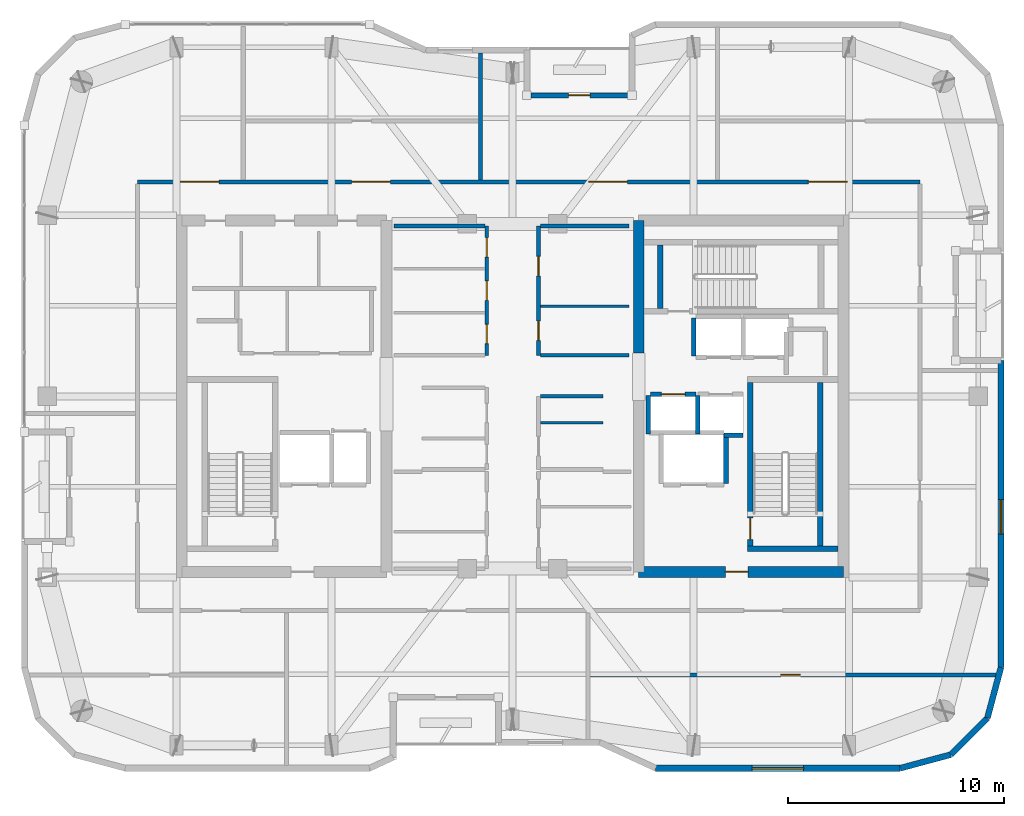
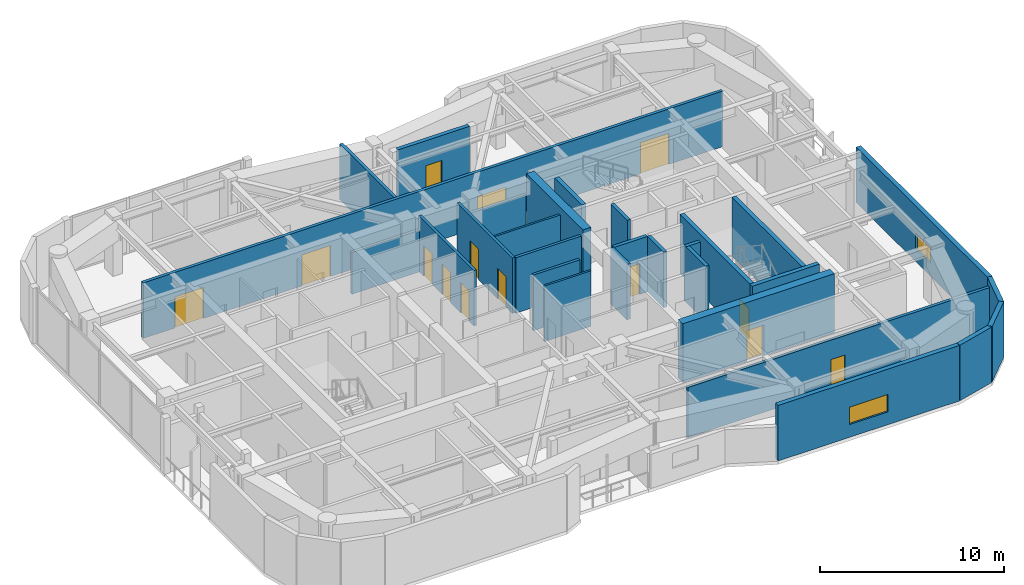
# One storey, part 12 of 16: 29 walls, 14 doors, 2 windows, 16 openings.
"""IFC4 building model written with IfcOpenShell, lengths in metres."""

from ifc_helpers import new_model, si_unit, direction, frame, frame_2d, origin, place, context, subcontext, project, spatial, rectangle, extrude, material, layer, layer_set, type_object, element, fill, save


model = new_model("IFC4")

# Units and contexts
model_context = context("Model", 3, precision=1e-05, world=origin(), true_north=direction((0.0, 1.0)))
body_context = subcontext(model_context, "Body", "Model", "MODEL_VIEW")
ifc_project = project(units=[si_unit("LENGTHUNIT", "METRE"), si_unit("AREAUNIT", "SQUARE_METRE"), si_unit("VOLUMEUNIT", "CUBIC_METRE"), si_unit("PLANEANGLEUNIT", "RADIAN"), si_unit("MASSUNIT", "GRAM", prefix="KILO")], contexts=[model_context])

# Site, building, storey
site_placement = place(None, origin())
site = spatial("IfcSite", under=ifc_project, at=site_placement, CompositionType="ELEMENT")
building_placement = place(site_placement, origin())
building = spatial("IfcBuilding", under=site, at=building_placement, Name="Kiyonajd Concourse Tower", CompositionType="ELEMENT")
storey_placement = place(building_placement, frame((0.0, 0.0, 325.800048828125)))
storey = spatial("IfcBuildingStorey", under=building, at=storey_placement, Name="L82", CompositionType="ELEMENT", Elevation=325.800048828125)

# Wall
ifc_material_1 = material(Name="Concrete C60/75", Category="concrete")
ifc_layer_1 = layer(ifc_material_1, 0.5)
ifc_layer_set_1 = layer_set([ifc_layer_1], Name="Concrete C60/75")
wall_type_1 = type_object("IfcWallType", Name="WL-CORE-500", PredefinedType="SHEAR", material=ifc_layer_set_1)
wall_1_placement = place(storey_placement, frame((53.85009765625, 38.0, 0.0), z_axis=(0.0, 0.0, 1.0), x_axis=(0.0, 1.0, 0.0)))
element("IfcWall", 1, at=wall_1_placement, inside=storey, type_object=wall_type_1, Name="L82 East Core Inner North Shear Wall", PredefinedType="SHEAR", context=body_context, shape_type="SweptSolid", body=[
    extrude(rectangle(XDim=6.14990234375, YDim=0.5, at=frame_2d((3.074951171875, 0.0))), origin(), (0.0, 0.0, 1.0), 3.89990234375),
])

# Wall, opening, door
wall_2_placement = place(storey_placement, frame((53.85009765625, 27.85009765625, 0.0), z_axis=(0.0, 0.0, 1.0), x_axis=(1.0, 0.0, 0.0)))
wall_2 = element("IfcWall", 2, at=wall_2_placement, inside=storey, type_object=wall_type_1, Name="L82 East Core South Shear Wall", PredefinedType="SHEAR", context=body_context, shape_type="SweptSolid", body=[
    extrude(rectangle(XDim=9.5, YDim=0.5, at=frame_2d((4.75, 0.0))), origin(), (0.0, 0.0, 1.0), 3.89990234375),
])
opening_1_placement = place(wall_2_placement, frame((4.02490234375, 0.0, 0.0)))
opening_1 = element("IfcOpeningElement", 3, at=opening_1_placement, cuts=wall_2, Name="Opening DF5", PredefinedType="OPENING", context=body_context, shape_type="SweptSolid", body=[
    extrude(rectangle(XDim=1.050048828125, YDim=2.0400390625, at=frame_2d((0.52490234375, 1.02001953125))), frame((0.0, 0.260009765625, 0.0), z_axis=(0.0, -1.0, 0.0), x_axis=(1.0, 0.0, 0.0)), (0.0, 0.0, 1.0), 0.52001953125),
])
ifc_material_2 = material(Name="Brushed Stainless Steel Cab Assembly", Category="steel")
door_type_1 = type_object("IfcDoorType", Name="DR-FD45-1050", OperationType="NOTDEFINED", PredefinedType="DOOR", material=ifc_material_2)
door_1_placement = place(opening_1_placement, origin())
door_1 = element("IfcDoor", 4, at=door_1_placement, inside=storey, type_object=door_type_1, Name="L82 Firefighting Lift Lobby E Smoke Door", OperationType="SINGLE_SWING_RIGHT", OverallHeight=2.0400390625, OverallWidth=1.050048828125, PredefinedType="DOOR", context=body_context, shape_type="SweptSolid", body=[
    extrude(rectangle(XDim=1.050048828125, YDim=2.0400390625, at=frame_2d((0.52490234375, 1.02001953125))), frame((0.0, 0.02490234375, 0.0), z_axis=(0.0, -1.0, 0.0), x_axis=(1.0, 0.0, 0.0)), (0.0, 0.0, 1.0), 0.050048828125),
])
fill(opening_1, door_1)

# Wall, opening, window
ifc_material_3 = material(Name="Precast concrete C50/60", Category="concrete")
ifc_layer_2 = layer(ifc_material_3, 0.280029296875)
ifc_layer_set_2 = layer_set([ifc_layer_2], Name="Precast concrete C50/60")
wall_type_2 = type_object("IfcWallType", Name="WL-EXT-280", PredefinedType="SOLIDWALL", material=ifc_layer_set_2)
wall_3_placement = place(storey_placement, frame((70.659912109375, 37.659912109375, 0.0), z_axis=(0.0, 0.0, 1.0), x_axis=(0.0, -1.0, 0.0)))
wall_3 = element("IfcWall", 5, at=wall_3_placement, inside=storey, type_object=wall_type_2, Name="L82 Exterior Concrete Frame Wall 24", PredefinedType="SOLIDWALL", context=body_context, shape_type="SweptSolid", body=[
    extrude(rectangle(XDim=14.241455078125, YDim=0.280029296875, at=frame_2d((7.12060546875, 0.0))), origin(), (0.0, 0.0, 1.0), 3.679931640625),
])
opening_2_placement = place(wall_3_placement, frame((6.4560546875, 0.0, 0.85009765625)))
opening_2 = element("IfcOpeningElement", 6, at=opening_2_placement, cuts=wall_3, Name="Opening WN6", PredefinedType="OPENING", context=body_context, shape_type="SweptSolid", body=[
    extrude(rectangle(XDim=1.60009765625, YDim=1.0, at=frame_2d((0.800048828125, 0.5))), frame((0.0, 0.14990234375, 0.0), z_axis=(0.0, -1.0, 0.0), x_axis=(1.0, 0.0, 0.0)), (0.0, 0.0, 1.0), 0.300048828125),
])
ifc_material_4 = material(Name="Double Low-E Insulated Glass", Category="glass")
window_type_1 = type_object("IfcWindowType", Name="WN-VIS-1600x1000", PartitioningType="SINGLE_PANEL", PredefinedType="WINDOW", material=ifc_material_4)
window_1_placement = place(opening_2_placement, origin())
window_1 = element("IfcWindow", 7, at=window_1_placement, inside=storey, type_object=window_type_1, Name="L82 Modular Facade Vision Window 24", OverallHeight=1.0, OverallWidth=1.60009765625, PartitioningType="SINGLE_PANEL", PredefinedType="WINDOW", context=body_context, shape_type="SweptSolid", body=[
    extrude(rectangle(XDim=1.60009765625, YDim=1.0, at=frame_2d((0.800048828125, 0.5))), frame((0.0, 0.030029296875, 0.0), z_axis=(0.0, -1.0, 0.0), x_axis=(1.0, 0.0, 0.0)), (0.0, 0.0, 1.0), 0.06005859375),
])
fill(opening_2, window_1)

# Walls
wall_4_placement = place(storey_placement, frame((70.659912109375, 23.41845703125, 0.0), z_axis=(0.0, 0.0, 1.0), x_axis=(-0.258751159445, -0.965944013639, 0.0)))
element("IfcWall", 8, at=wall_4_placement, inside=storey, type_object=wall_type_2, Name="L82 Exterior Concrete Frame Wall 25", PredefinedType="SOLIDWALL", context=body_context, shape_type="SweptSolid", body=[
    extrude(rectangle(XDim=2.4287109375, YDim=0.280029296875, at=frame_2d((1.21435546875, 0.0))), origin(), (0.0, 0.0, 1.0), 3.679931640625),
])
wall_5_placement = place(storey_placement, frame((70.031494140625, 21.072509765625, 0.0), z_axis=(0.0, 0.0, 1.0), x_axis=(-0.707106781187, -0.707106781187, 0.0)))
element("IfcWall", 9, at=wall_5_placement, inside=storey, type_object=wall_type_2, Name="L82 Exterior Concrete Frame Wall 26", PredefinedType="SOLIDWALL", context=body_context, shape_type="SweptSolid", body=[
    extrude(rectangle(XDim=2.409912109375, YDim=0.280029296875, at=frame_2d((1.205078125, 0.0))), origin(), (0.0, 0.0, 1.0), 3.679931640625),
])
wall_6_placement = place(storey_placement, frame((68.327392578125, 19.368408203125, 0.0), z_axis=(0.0, 0.0, 1.0), x_axis=(-0.965937282298, -0.25877628691, 0.0)))
element("IfcWall", 10, at=wall_6_placement, inside=storey, type_object=wall_type_2, Name="L82 Exterior Concrete Frame Wall 27", PredefinedType="SOLIDWALL", context=body_context, shape_type="SweptSolid", body=[
    extrude(rectangle(XDim=2.428466796875, YDim=0.280029296875, at=frame_2d((1.21435546875, 0.0))), origin(), (0.0, 0.0, 1.0), 3.679931640625),
])

# Wall, opening, window
wall_7_placement = place(storey_placement, frame((65.981689453125, 18.739990234375, 0.0), z_axis=(0.0, 0.0, 1.0), x_axis=(-1.0, 0.0, 0.0)))
wall_7 = element("IfcWall", 11, at=wall_7_placement, inside=storey, type_object=wall_type_2, Name="L82 Exterior Concrete Frame Wall 28", PredefinedType="SOLIDWALL", context=body_context, shape_type="SweptSolid", body=[
    extrude(rectangle(XDim=11.35107421875, YDim=0.280029296875, at=frame_2d((5.675537109375, 0.0))), origin(), (0.0, 0.0, 1.0), 3.679931640625),
])
opening_3_placement = place(wall_7_placement, frame((4.47509765625, 0.0, 0.85009765625)))
opening_3 = element("IfcOpeningElement", 12, at=opening_3_placement, cuts=wall_7, Name="Opening WN4", PredefinedType="OPENING", context=body_context, shape_type="SweptSolid", body=[
    extrude(rectangle(XDim=2.39990234375, YDim=1.14990234375, at=frame_2d((1.199951171875, 0.574951171875))), frame((0.0, 0.14990234375, 0.0), z_axis=(0.0, -1.0, 0.0), x_axis=(1.0, 0.0, 0.0)), (0.0, 0.0, 1.0), 0.300048828125),
])
window_type_2 = type_object("IfcWindowType", Name="WN-VIS-2400x1150", PartitioningType="SINGLE_PANEL", PredefinedType="WINDOW", material=ifc_material_4)
window_2_placement = place(opening_3_placement, origin())
window_2 = element("IfcWindow", 13, at=window_2_placement, inside=storey, type_object=window_type_2, Name="L82 Modular Facade Vision Window 28", OverallHeight=1.14990234375, OverallWidth=2.39990234375, PartitioningType="SINGLE_PANEL", PredefinedType="WINDOW", context=body_context, shape_type="SweptSolid", body=[
    extrude(rectangle(XDim=2.39990234375, YDim=1.14990234375, at=frame_2d((1.199951171875, 0.574951171875))), frame((0.0, 0.030029296875, 0.0), z_axis=(0.0, -1.0, 0.0), x_axis=(1.0, 0.0, 0.0)), (0.0, 0.0, 1.0), 0.06005859375),
])
fill(opening_3, window_2)

# Wall, opening, door
ifc_layer_3 = layer(ifc_material_3, 0.239990234375)
ifc_layer_set_3 = layer_set([ifc_layer_3], Name="Precast concrete C50/60")
wall_type_3 = type_object("IfcWallType", Name="WL-LOG-240", PredefinedType="SOLIDWALL", material=ifc_layer_set_3)
wall_8_placement = place(storey_placement, frame((48.85498046875, 49.9599609375, 0.0), z_axis=(0.0, 0.0, 1.0), x_axis=(1.0, 0.0, 0.0)))
wall_8 = element("IfcWall", 14, at=wall_8_placement, inside=storey, type_object=wall_type_3, Name="L82 Recessed Loggia Thermal Wall LOG-N", PredefinedType="SOLIDWALL", context=body_context, shape_type="SweptSolid", body=[
    extrude(rectangle(XDim=4.489990234375, YDim=0.239990234375, at=frame_2d((2.2451171875, 0.0))), origin(), (0.0, 0.0, 1.0), 3.679931640625),
])
opening_4_placement = place(wall_8_placement, frame((1.7451171875, 0.0, 0.0)))
opening_4 = element("IfcOpeningElement", 15, at=opening_4_placement, cuts=wall_8, Name="Opening DL1", PredefinedType="OPENING", context=body_context, shape_type="SweptSolid", body=[
    extrude(rectangle(XDim=1.0, YDim=2.02001953125, at=frame_2d((0.5, 1.010009765625))), frame((0.0, 0.1298828125, 0.0), z_axis=(0.0, -1.0, 0.0), x_axis=(1.0, 0.0, 0.0)), (0.0, 0.0, 1.0), 0.260009765625),
])
ifc_material_5 = material(Name="Thermally Broken Anodised Aluminium", Category="aluminium")
door_type_2 = type_object("IfcDoorType", Name="DR-LOG-1000", OperationType="NOTDEFINED", PredefinedType="DOOR", material=ifc_material_5)
door_2_placement = place(opening_4_placement, origin())
door_2 = element("IfcDoor", 16, at=door_2_placement, inside=storey, type_object=door_type_2, Name="L82 Engawa Loggia Access Door LOG-N", OperationType="SINGLE_SWING_RIGHT", OverallHeight=2.02001953125, OverallWidth=1.0, PredefinedType="DOOR", context=body_context, shape_type="SweptSolid", body=[
    extrude(rectangle(XDim=1.0, YDim=2.02001953125, at=frame_2d((0.5, 1.010009765625))), frame((0.0, 0.02490234375, 0.0), z_axis=(0.0, -1.0, 0.0), x_axis=(1.0, 0.0, 0.0)), (0.0, 0.0, 1.0), 0.050048828125),
])
fill(opening_4, door_2)

# Walls
ifc_material_6 = material(Name="Gypsum Board on Cold-Formed Steel Stud", Category="steel")
ifc_layer_4 = layer(ifc_material_6, 0.125)
ifc_layer_set_4 = layer_set([ifc_layer_4], Name="Gypsum Board on Cold-Formed Steel Stud")
wall_type_4 = type_object("IfcWallType", Name="WL-PART-125", PredefinedType="PARTITIONING", material=ifc_layer_set_4)
wall_9_placement = place(storey_placement, frame((49.287109375, 34.77587890625, 0.0), z_axis=(0.0, 0.0, 1.0), x_axis=(1.0, 0.0, 0.0)))
element("IfcWall", 17, at=wall_9_placement, inside=storey, type_object=wall_type_4, Name="L82 Interior Partition Wall", PredefinedType="PARTITIONING", context=body_context, shape_type="SweptSolid", body=[
    extrude(rectangle(XDim=2.912841796875, YDim=0.125, at=frame_2d((1.45654296875, 0.0))), origin(), (0.0, 0.0, 1.0), 3.679931640625),
])
wall_10_placement = place(storey_placement, frame((49.287109375, 40.179931640625, 0.0), z_axis=(0.0, 0.0, 1.0), x_axis=(1.0, 0.0, 0.0)))
element("IfcWall", 18, at=wall_10_placement, inside=storey, type_object=wall_type_4, Name="L82 Interior Partition Wall", PredefinedType="PARTITIONING", context=body_context, shape_type="SweptSolid", body=[
    extrude(rectangle(XDim=4.11279296875, YDim=0.125, at=frame_2d((2.056396484375, 0.0))), origin(), (0.0, 0.0, 1.0), 3.679931640625),
])

# Wall, openings, doors
ifc_layer_5 = layer(ifc_material_6, 0.18994140625)
ifc_layer_set_5 = layer_set([ifc_layer_5], Name="Gypsum Board on Cold-Formed Steel Stud")
wall_type_5 = type_object("IfcWallType", Name="WL-PLMB-190", PredefinedType="PLUMBINGWALL", material=ifc_layer_set_5)
wall_11_placement = place(storey_placement, frame((30.60009765625, 45.949951171875, 0.0), z_axis=(0.0, 0.0, 1.0), x_axis=(1.0, 0.0, 0.0)))
wall_11 = element("IfcWall", 19, at=wall_11_placement, inside=storey, type_object=wall_type_5, Name="L82 Interior Partition Wall", PredefinedType="PLUMBINGWALL", context=body_context, shape_type="SweptSolid", body=[
    extrude(rectangle(XDim=36.2998046875, YDim=0.18994140625, at=frame_2d((18.14990234375, 0.0))), origin(), (0.0, 0.0, 1.0), 3.679931640625),
])
opening_5_placement = place(wall_11_placement, frame((1.97509765625, 0.0, 0.0)))
opening_5 = element("IfcOpeningElement", 20, at=opening_5_placement, cuts=wall_11, Name="Opening DI3", PredefinedType="OPENING", context=body_context, shape_type="SweptSolid", body=[
    extrude(rectangle(XDim=1.800048828125, YDim=2.06005859375, at=frame_2d((0.89990234375, 1.030029296875))), frame((0.0, 0.10498046875, 0.0), z_axis=(0.0, -1.0, 0.0), x_axis=(1.0, 0.0, 0.0)), (0.0, 0.0, 1.0), 0.2099609375),
])
opening_6_placement = place(wall_11_placement, frame((9.925048828125, 0.0, 0.0)))
opening_6 = element("IfcOpeningElement", 21, at=opening_6_placement, cuts=wall_11, Name="Opening DI3", PredefinedType="OPENING", context=body_context, shape_type="SweptSolid", body=[
    extrude(rectangle(XDim=1.800048828125, YDim=2.06005859375, at=frame_2d((0.89990234375, 1.030029296875))), frame((0.0, 0.10498046875, 0.0), z_axis=(0.0, -1.0, 0.0), x_axis=(1.0, 0.0, 0.0)), (0.0, 0.0, 1.0), 0.2099609375),
])
opening_7_placement = place(wall_11_placement, frame((20.925048828125, 0.0, 0.0)))
opening_7 = element("IfcOpeningElement", 22, at=opening_7_placement, cuts=wall_11, Name="Opening DI3", PredefinedType="OPENING", context=body_context, shape_type="SweptSolid", body=[
    extrude(rectangle(XDim=1.800048828125, YDim=2.06005859375, at=frame_2d((0.89990234375, 1.030029296875))), frame((0.0, 0.10498046875, 0.0), z_axis=(0.0, -1.0, 0.0), x_axis=(1.0, 0.0, 0.0)), (0.0, 0.0, 1.0), 0.2099609375),
])
opening_8_placement = place(wall_11_placement, frame((31.125, 0.0, 0.0)))
opening_8 = element("IfcOpeningElement", 23, at=opening_8_placement, cuts=wall_11, Name="Opening DI3", PredefinedType="OPENING", context=body_context, shape_type="SweptSolid", body=[
    extrude(rectangle(XDim=1.800048828125, YDim=2.06005859375, at=frame_2d((0.89990234375, 1.030029296875))), frame((0.0, 0.10498046875, 0.0), z_axis=(0.0, -1.0, 0.0), x_axis=(1.0, 0.0, 0.0)), (0.0, 0.0, 1.0), 0.2099609375),
])
door_type_3 = type_object("IfcDoorType", Name="DR-PAIR-1800", OperationType="DOUBLE_DOOR_SINGLE_SWING", PredefinedType="DOOR", material=ifc_material_2)
door_3_placement = place(opening_5_placement, origin())
door_3 = element("IfcDoor", 24, at=door_3_placement, inside=storey, type_object=door_type_3, Name="L82 Interior Door", OperationType="DOUBLE_DOOR_SINGLE_SWING", OverallHeight=2.06005859375, OverallWidth=1.800048828125, PredefinedType="DOOR", context=body_context, shape_type="SweptSolid", body=[
    extrude(rectangle(XDim=1.800048828125, YDim=2.06005859375, at=frame_2d((0.89990234375, 1.030029296875))), frame((0.0, 0.02490234375, 0.0), z_axis=(0.0, -1.0, 0.0), x_axis=(1.0, 0.0, 0.0)), (0.0, 0.0, 1.0), 0.050048828125),
])
fill(opening_5, door_3)
door_4_placement = place(opening_6_placement, origin())
door_4 = element("IfcDoor", 25, at=door_4_placement, inside=storey, type_object=door_type_3, Name="L82 Interior Door", OperationType="DOUBLE_DOOR_SINGLE_SWING", OverallHeight=2.06005859375, OverallWidth=1.800048828125, PredefinedType="DOOR", context=body_context, shape_type="SweptSolid", body=[
    extrude(rectangle(XDim=1.800048828125, YDim=2.06005859375, at=frame_2d((0.89990234375, 1.030029296875))), frame((0.0, 0.02490234375, 0.0), z_axis=(0.0, -1.0, 0.0), x_axis=(1.0, 0.0, 0.0)), (0.0, 0.0, 1.0), 0.050048828125),
])
fill(opening_6, door_4)
door_5_placement = place(opening_7_placement, origin())
door_5 = element("IfcDoor", 26, at=door_5_placement, inside=storey, type_object=door_type_3, Name="L82 Interior Door", OperationType="DOUBLE_DOOR_SINGLE_SWING", OverallHeight=2.06005859375, OverallWidth=1.800048828125, PredefinedType="DOOR", context=body_context, shape_type="SweptSolid", body=[
    extrude(rectangle(XDim=1.800048828125, YDim=2.06005859375, at=frame_2d((0.89990234375, 1.030029296875))), frame((0.0, 0.02490234375, 0.0), z_axis=(0.0, -1.0, 0.0), x_axis=(1.0, 0.0, 0.0)), (0.0, 0.0, 1.0), 0.050048828125),
])
fill(opening_7, door_5)
door_6_placement = place(opening_8_placement, origin())
door_6 = element("IfcDoor", 27, at=door_6_placement, inside=storey, type_object=door_type_3, Name="L82 Interior Door", OperationType="DOUBLE_DOOR_SINGLE_SWING", OverallHeight=2.06005859375, OverallWidth=1.800048828125, PredefinedType="DOOR", context=body_context, shape_type="SweptSolid", body=[
    extrude(rectangle(XDim=1.800048828125, YDim=2.06005859375, at=frame_2d((0.89990234375, 1.030029296875))), frame((0.0, 0.02490234375, 0.0), z_axis=(0.0, -1.0, 0.0), x_axis=(1.0, 0.0, 0.0)), (0.0, 0.0, 1.0), 0.050048828125),
])
fill(opening_8, door_6)

# Wall, opening, door
wall_12_placement = place(storey_placement, frame((51.5, 23.070068359375, 0.0), z_axis=(0.0, 0.0, 1.0), x_axis=(1.0, 0.0, 0.0)))
wall_12 = element("IfcWall", 28, at=wall_12_placement, inside=storey, type_object=wall_type_5, Name="L82 Interior Partition Wall", PredefinedType="PLUMBINGWALL", context=body_context, shape_type="SweptSolid", body=[
    extrude(rectangle(XDim=18.925048828125, YDim=0.18994140625, at=frame_2d((9.46240234375, 0.0))), origin(), (0.0, 0.0, 1.0), 3.31103515625),
])
opening_9_placement = place(wall_12_placement, frame((8.949951171875, 0.0, 0.0)))
opening_9 = element("IfcOpeningElement", 29, at=opening_9_placement, cuts=wall_12, Name="Opening DI2", PredefinedType="OPENING", context=body_context, shape_type="SweptSolid", body=[
    extrude(rectangle(XDim=0.89990234375, YDim=2.02001953125, at=frame_2d((0.449951171875, 1.010009765625))), frame((0.0, 0.10498046875, 0.0), z_axis=(0.0, -1.0, 0.0), x_axis=(1.0, 0.0, 0.0)), (0.0, 0.0, 1.0), 0.2099609375),
])
ifc_material_7 = material(Name="Natural Oak Acoustic Timber Veneer", Category="wood")
door_type_4 = type_object("IfcDoorType", Name="DR-INT-900", OperationType="NOTDEFINED", PredefinedType="DOOR", material=ifc_material_7)
door_7_placement = place(opening_9_placement, origin())
door_7 = element("IfcDoor", 30, at=door_7_placement, inside=storey, type_object=door_type_4, Name="L82 Interior Door", OperationType="SINGLE_SWING_RIGHT", OverallHeight=2.02001953125, OverallWidth=0.89990234375, PredefinedType="DOOR", context=body_context, shape_type="SweptSolid", body=[
    extrude(rectangle(XDim=0.89990234375, YDim=2.02001953125, at=frame_2d((0.449951171875, 1.010009765625))), frame((0.0, 0.02490234375, 0.0), z_axis=(0.0, -1.0, 0.0), x_axis=(1.0, 0.0, 0.0)), (0.0, 0.0, 1.0), 0.050048828125),
])
fill(opening_9, door_7)

# Walls
wall_13_placement = place(storey_placement, frame((46.5, 46.047119140625, 0.0), z_axis=(0.0, 0.0, 1.0), x_axis=(0.0, 1.0, 0.0)))
element("IfcWall", 31, at=wall_13_placement, inside=storey, type_object=wall_type_5, Name="L82 Interior Partition Wall", PredefinedType="PLUMBINGWALL", context=body_context, shape_type="SweptSolid", body=[
    extrude(rectangle(XDim=5.8779296875, YDim=0.18994140625, at=frame_2d((2.93896484375, 0.0))), origin(), (0.0, 0.0, 1.0), 3.679931640625),
])
ifc_layer_6 = layer(ifc_material_6, 0.2099609375)
ifc_layer_set_6 = layer_set([ifc_layer_6], Name="Gypsum Board on Cold-Formed Steel Stud")
wall_type_6 = type_object("IfcWallType", Name="WL-SHAFT-210", PredefinedType="PARTITIONING", material=ifc_layer_set_6)
wall_14_placement = place(storey_placement, frame((57.89990234375, 31.9599609375, 0.0), z_axis=(0.0, 0.0, 1.0), x_axis=(0.0, 1.0, 0.0)))
element("IfcWall", 32, at=wall_14_placement, inside=storey, type_object=wall_type_6, Name="L82 Shaft Enclosure Wall", PredefinedType="PARTITIONING", context=body_context, shape_type="SweptSolid", body=[
    extrude(rectangle(XDim=2.280029296875, YDim=0.2099609375, at=frame_2d((1.14013671875, 0.0))), origin(), (0.0, 0.0, 1.0), 3.679931640625),
])

# Wall, opening, door
wall_15_placement = place(storey_placement, frame((54.39990234375, 36.10009765625, 0.0), z_axis=(0.0, 0.0, 1.0), x_axis=(1.0, 0.0, 0.0)))
wall_15 = element("IfcWall", 33, at=wall_15_placement, inside=storey, type_object=wall_type_6, Name="L82 Shaft Enclosure Wall", PredefinedType="PARTITIONING", context=body_context, shape_type="SweptSolid", body=[
    extrude(rectangle(XDim=2.10009765625, YDim=0.2099609375, at=frame_2d((1.050048828125, 0.0))), origin(), (0.0, 0.0, 1.0), 3.679931640625),
])
opening_10_placement = place(wall_15_placement, frame((0.5, 0.0, 0.0)))
opening_10 = element("IfcOpeningElement", 34, at=opening_10_placement, cuts=wall_15, Name="Opening LD1", PredefinedType="OPENING", context=body_context, shape_type="SweptSolid", body=[
    extrude(rectangle(XDim=1.10009765625, YDim=2.0400390625, at=frame_2d((0.550048828125, 1.02001953125))), frame((0.0, 0.114990234375, 0.0), z_axis=(0.0, -1.0, 0.0), x_axis=(1.0, 0.0, 0.0)), (0.0, 0.0, 1.0), 0.22998046875),
])
door_type_5 = type_object("IfcDoorType", Name="DR-LD-1100", OperationType="DOUBLE_DOOR_SLIDING", PredefinedType="DOOR", material=ifc_material_2)
door_8_placement = place(opening_10_placement, origin())
door_8 = element("IfcDoor", 35, at=door_8_placement, inside=storey, type_object=door_type_5, Name="L82 Lift PL-H1 Sliding Landing Door", OperationType="DOUBLE_DOOR_SLIDING", OverallHeight=2.0400390625, OverallWidth=1.10009765625, PredefinedType="DOOR", context=body_context, shape_type="SweptSolid", body=[
    extrude(rectangle(XDim=1.10009765625, YDim=2.0400390625, at=frame_2d((0.550048828125, 1.02001953125))), frame((0.0, 0.02490234375, 0.0), z_axis=(0.0, -1.0, 0.0), x_axis=(1.0, 0.0, 0.0)), (0.0, 0.0, 1.0), 0.050048828125),
])
fill(opening_10, door_8)

# Walls
for number, where, z_axis, x_axis, name in (
    (36, (54.300048828125, 34.260009765625, 0.0), (0.0, 0.0, 1.0), (0.0, 1.0, 0.0), "L82 Shaft Enclosure Wall"),
    (37, (56.60009765625, 34.260009765625, 0.0), (0.0, 0.0, 1.0), (0.0, 1.0, 0.0), "L82 Shaft Enclosure Wall"),
):
    element("IfcWall", number, at=place(storey_placement, frame(where, z_axis=z_axis, x_axis=x_axis)), inside=storey, type_object=wall_type_6, Name=name, PredefinedType="PARTITIONING", context=body_context, shape_type="SweptSolid", body=[
        extrude(rectangle(XDim=1.780029296875, YDim=0.2099609375, at=frame_2d((0.89013671875, 0.0))), origin(), (0.0, 0.0, 1.0), 3.679931640625),
    ])
wall_16_placement = place(storey_placement, frame((57.800048828125, 34.199951171875, 0.0), z_axis=(0.0, 0.0, 1.0), x_axis=(1.0, 0.0, 0.0)))
element("IfcWall", 38, at=wall_16_placement, inside=storey, type_object=wall_type_6, Name="L82 Shaft Enclosure Wall", PredefinedType="PARTITIONING", context=body_context, shape_type="SweptSolid", body=[
    extrude(rectangle(XDim=0.89990234375, YDim=0.2099609375, at=frame_2d((0.449951171875, 0.0))), origin(), (0.0, 0.0, 1.0), 3.679931640625),
])
wall_17_placement = place(storey_placement, frame((56.39990234375, 37.860107421875, 0.0), z_axis=(0.0, 0.0, 1.0), x_axis=(0.0, 1.0, 0.0)))
element("IfcWall", 39, at=wall_17_placement, inside=storey, type_object=wall_type_6, Name="L82 Shaft Enclosure Wall", PredefinedType="PARTITIONING", context=body_context, shape_type="SweptSolid", body=[
    extrude(rectangle(XDim=1.77978515625, YDim=0.2099609375, at=frame_2d((0.889892578125, 0.0))), origin(), (0.0, 0.0, 1.0), 3.679931640625),
])
ifc_layer_7 = layer(ifc_material_6, 0.169921875)
ifc_layer_set_7 = layer_set([ifc_layer_7], Name="Gypsum Board on Cold-Formed Steel Stud")
wall_type_7 = type_object("IfcWallType", Name="WL-SMK-170", PredefinedType="PARTITIONING", material=ifc_layer_set_7)
wall_18_placement = place(storey_placement, frame((49.287109375, 36.0, 0.0), z_axis=(0.0, 0.0, 1.0), x_axis=(1.0, 0.0, 0.0)))
element("IfcWall", 40, at=wall_18_placement, inside=storey, type_object=wall_type_7, Name="L82 Interior Partition Wall", PredefinedType="PARTITIONING", context=body_context, shape_type="SweptSolid", body=[
    extrude(rectangle(XDim=2.912841796875, YDim=0.169921875, at=frame_2d((1.45654296875, 0.0))), origin(), (0.0, 0.0, 1.0), 3.679931640625),
])

# Wall, openings, doors
wall_19_placement = place(storey_placement, frame((46.800048828125, 37.89990234375, 0.0), z_axis=(0.0, 0.0, 1.0), x_axis=(0.0, 1.0, 0.0)))
wall_19 = element("IfcWall", 41, at=wall_19_placement, inside=storey, type_object=wall_type_7, Name="L82 Interior Partition Wall", PredefinedType="PARTITIONING", context=body_context, shape_type="SweptSolid", body=[
    extrude(rectangle(XDim=6.0, YDim=0.169921875, at=frame_2d((3.0, 0.0))), origin(), (0.0, 0.0, 1.0), 3.679931640625),
])
opening_11_placement = place(wall_19_placement, frame((0.5400390625, 0.0, 0.0)))
opening_11 = element("IfcOpeningElement", 42, at=opening_11_placement, cuts=wall_19, Name="Opening DI2", PredefinedType="OPENING", context=body_context, shape_type="SweptSolid", body=[
    extrude(rectangle(XDim=0.89990234375, YDim=2.02001953125, at=frame_2d((0.449951171875, 1.010009765625))), frame((0.0, 0.094970703125, 0.0), z_axis=(0.0, -1.0, 0.0), x_axis=(1.0, 0.0, 0.0)), (0.0, 0.0, 1.0), 0.18994140625),
])
opening_12_placement = place(wall_19_placement, frame((2.550048828125, 0.0, 0.0)))
opening_12 = element("IfcOpeningElement", 43, at=opening_12_placement, cuts=wall_19, Name="Opening DI2", PredefinedType="OPENING", context=body_context, shape_type="SweptSolid", body=[
    extrude(rectangle(XDim=0.89990234375, YDim=2.02001953125, at=frame_2d((0.449951171875, 1.010009765625))), frame((0.0, 0.094970703125, 0.0), z_axis=(0.0, -1.0, 0.0), x_axis=(1.0, 0.0, 0.0)), (0.0, 0.0, 1.0), 0.18994140625),
])
opening_13_placement = place(wall_19_placement, frame((4.56005859375, 0.0, 0.0)))
opening_13 = element("IfcOpeningElement", 44, at=opening_13_placement, cuts=wall_19, Name="Opening DI2", PredefinedType="OPENING", context=body_context, shape_type="SweptSolid", body=[
    extrude(rectangle(XDim=0.89990234375, YDim=2.02001953125, at=frame_2d((0.449951171875, 1.010009765625))), frame((0.0, 0.094970703125, 0.0), z_axis=(0.0, -1.0, 0.0), x_axis=(1.0, 0.0, 0.0)), (0.0, 0.0, 1.0), 0.18994140625),
])
door_9_placement = place(opening_11_placement, origin())
door_9 = element("IfcDoor", 45, at=door_9_placement, inside=storey, type_object=door_type_4, Name="L82 Interior Door", OperationType="SINGLE_SWING_RIGHT", OverallHeight=2.02001953125, OverallWidth=0.89990234375, PredefinedType="DOOR", context=body_context, shape_type="SweptSolid", body=[
    extrude(rectangle(XDim=0.89990234375, YDim=2.02001953125, at=frame_2d((0.449951171875, 1.010009765625))), frame((0.0, 0.02490234375, 0.0), z_axis=(0.0, -1.0, 0.0), x_axis=(1.0, 0.0, 0.0)), (0.0, 0.0, 1.0), 0.050048828125),
])
fill(opening_11, door_9)
door_10_placement = place(opening_12_placement, origin())
door_10 = element("IfcDoor", 46, at=door_10_placement, inside=storey, type_object=door_type_4, Name="L82 Interior Door", OperationType="SINGLE_SWING_LEFT", OverallHeight=2.02001953125, OverallWidth=0.89990234375, PredefinedType="DOOR", context=body_context, shape_type="SweptSolid", body=[
    extrude(rectangle(XDim=0.89990234375, YDim=2.02001953125, at=frame_2d((0.449951171875, 1.010009765625))), frame((0.0, 0.02490234375, 0.0), z_axis=(0.0, -1.0, 0.0), x_axis=(1.0, 0.0, 0.0)), (0.0, 0.0, 1.0), 0.050048828125),
])
fill(opening_12, door_10)
door_11_placement = place(opening_13_placement, origin())
door_11 = element("IfcDoor", 47, at=door_11_placement, inside=storey, type_object=door_type_4, Name="L82 Interior Door", OperationType="SINGLE_SWING_RIGHT", OverallHeight=2.02001953125, OverallWidth=0.89990234375, PredefinedType="DOOR", context=body_context, shape_type="SweptSolid", body=[
    extrude(rectangle(XDim=0.89990234375, YDim=2.02001953125, at=frame_2d((0.449951171875, 1.010009765625))), frame((0.0, 0.02490234375, 0.0), z_axis=(0.0, -1.0, 0.0), x_axis=(1.0, 0.0, 0.0)), (0.0, 0.0, 1.0), 0.050048828125),
])
fill(opening_13, door_11)

# Wall
wall_20_placement = place(storey_placement, frame((42.5, 43.89990234375, 0.0), z_axis=(0.0, 0.0, 1.0), x_axis=(1.0, 0.0, 0.0)))
element("IfcWall", 48, at=wall_20_placement, inside=storey, type_object=wall_type_7, Name="L82 Interior Partition Wall", PredefinedType="PARTITIONING", context=body_context, shape_type="SweptSolid", body=[
    extrude(rectangle(XDim=4.212890625, YDim=0.169921875, at=frame_2d((2.1064453125, 0.0))), origin(), (0.0, 0.0, 1.0), 2.764892578125),
])

# Wall, openings, doors
wall_21_placement = place(storey_placement, frame((49.199951171875, 37.89990234375, 0.0), z_axis=(0.0, 0.0, 1.0), x_axis=(0.0, 1.0, 0.0)))
wall_21 = element("IfcWall", 49, at=wall_21_placement, inside=storey, type_object=wall_type_7, Name="L82 Interior Partition Wall", PredefinedType="PARTITIONING", context=body_context, shape_type="SweptSolid", body=[
    extrude(rectangle(XDim=6.0, YDim=0.169921875, at=frame_2d((3.0, 0.0))), origin(), (0.0, 0.0, 1.0), 3.679931640625),
])
opening_14_placement = place(wall_21_placement, frame((0.68994140625, 0.0, 0.0)))
opening_14 = element("IfcOpeningElement", 50, at=opening_14_placement, cuts=wall_21, Name="Opening DI2", PredefinedType="OPENING", context=body_context, shape_type="SweptSolid", body=[
    extrude(rectangle(XDim=0.89990234375, YDim=2.02001953125, at=frame_2d((0.449951171875, 1.010009765625))), frame((0.0, 0.094970703125, 0.0), z_axis=(0.0, -1.0, 0.0), x_axis=(1.0, 0.0, 0.0)), (0.0, 0.0, 1.0), 0.18994140625),
])
opening_15_placement = place(wall_21_placement, frame((3.68994140625, 0.0, 0.0)))
opening_15 = element("IfcOpeningElement", 51, at=opening_15_placement, cuts=wall_21, Name="Opening DI2", PredefinedType="OPENING", context=body_context, shape_type="SweptSolid", body=[
    extrude(rectangle(XDim=0.89990234375, YDim=2.02001953125, at=frame_2d((0.449951171875, 1.010009765625))), frame((0.0, 0.094970703125, 0.0), z_axis=(0.0, -1.0, 0.0), x_axis=(1.0, 0.0, 0.0)), (0.0, 0.0, 1.0), 0.18994140625),
])
door_12_placement = place(opening_14_placement, origin())
door_12 = element("IfcDoor", 52, at=door_12_placement, inside=storey, type_object=door_type_4, Name="L82 Interior Door", OperationType="SINGLE_SWING_LEFT", OverallHeight=2.02001953125, OverallWidth=0.89990234375, PredefinedType="DOOR", context=body_context, shape_type="SweptSolid", body=[
    extrude(rectangle(XDim=0.89990234375, YDim=2.02001953125, at=frame_2d((0.449951171875, 1.010009765625))), frame((0.0, 0.02490234375, 0.0), z_axis=(0.0, -1.0, 0.0), x_axis=(1.0, 0.0, 0.0)), (0.0, 0.0, 1.0), 0.050048828125),
])
fill(opening_14, door_12)
door_13_placement = place(opening_15_placement, origin())
door_13 = element("IfcDoor", 53, at=door_13_placement, inside=storey, type_object=door_type_4, Name="L82 Interior Door", OperationType="SINGLE_SWING_RIGHT", OverallHeight=2.02001953125, OverallWidth=0.89990234375, PredefinedType="DOOR", context=body_context, shape_type="SweptSolid", body=[
    extrude(rectangle(XDim=0.89990234375, YDim=2.02001953125, at=frame_2d((0.449951171875, 1.010009765625))), frame((0.0, 0.02490234375, 0.0), z_axis=(0.0, -1.0, 0.0), x_axis=(1.0, 0.0, 0.0)), (0.0, 0.0, 1.0), 0.050048828125),
])
fill(opening_15, door_13)

# Walls
wall_22_placement = place(storey_placement, frame((49.287109375, 37.89990234375, 0.0), z_axis=(0.0, 0.0, 1.0), x_axis=(1.0, 0.0, 0.0)))
element("IfcWall", 54, at=wall_22_placement, inside=storey, type_object=wall_type_7, Name="L82 Interior Partition Wall", PredefinedType="PARTITIONING", context=body_context, shape_type="SweptSolid", body=[
    extrude(rectangle(XDim=4.11279296875, YDim=0.169921875, at=frame_2d((2.056396484375, 0.0))), origin(), (0.0, 0.0, 1.0), 3.679931640625),
])
wall_23_placement = place(storey_placement, frame((49.287109375, 43.89990234375, 0.0), z_axis=(0.0, 0.0, 1.0), x_axis=(1.0, 0.0, 0.0)))
element("IfcWall", 55, at=wall_23_placement, inside=storey, type_object=wall_type_7, Name="L82 Interior Partition Wall", PredefinedType="PARTITIONING", context=body_context, shape_type="SweptSolid", body=[
    extrude(rectangle(XDim=4.11279296875, YDim=0.169921875, at=frame_2d((2.056396484375, 0.0))), origin(), (0.0, 0.0, 1.0), 2.764892578125),
])
ifc_material_8 = material(Name="Concrete C50/60", Category="concrete")
ifc_layer_8 = layer(ifc_material_8, 0.260009765625)
ifc_layer_set_8 = layer_set([ifc_layer_8], Name="Concrete C50/60")
wall_type_8 = type_object("IfcWallType", Name="WL-STAIR-260", PredefinedType="SHEAR", material=ifc_layer_set_8)
wall_24_placement = place(storey_placement, frame((58.889892578125, 28.919921875, 0.0), z_axis=(0.0, 0.0, 1.0), x_axis=(1.0, 0.0, 0.0)))
element("IfcWall", 56, at=wall_24_placement, inside=storey, type_object=wall_type_8, Name="L82 Stair ST2 Structural South Wall", PredefinedType="SHEAR", context=body_context, shape_type="SweptSolid", body=[
    extrude(rectangle(XDim=4.210205078125, YDim=0.260009765625, at=frame_2d((2.10498046875, 0.0))), origin(), (0.0, 0.0, 1.0), 3.89990234375),
])

# Wall, opening, door
wall_25_placement = place(storey_placement, frame((59.02001953125, 29.050048828125, 0.0), z_axis=(0.0, 0.0, 1.0), x_axis=(0.0, 1.0, 0.0)))
wall_25 = element("IfcWall", 57, at=wall_25_placement, inside=storey, type_object=wall_type_8, Name="L82 Stair ST2 Structural West Wall", PredefinedType="SHEAR", context=body_context, shape_type="SweptSolid", body=[
    extrude(rectangle(XDim=7.599853515625, YDim=0.260009765625, at=frame_2d((3.7998046875, 0.0))), origin(), (0.0, 0.0, 1.0), 3.89990234375),
])
opening_16_placement = place(wall_25_placement, frame((0.300048828125, 0.0, 0.0)))
opening_16 = element("IfcOpeningElement", 58, at=opening_16_placement, cuts=wall_25, Name="Opening DF1", PredefinedType="OPENING", context=body_context, shape_type="SweptSolid", body=[
    extrude(rectangle(XDim=1.0, YDim=2.0400390625, at=frame_2d((0.5, 1.02001953125))), frame((0.0, 0.139892578125, 0.0), z_axis=(0.0, -1.0, 0.0), x_axis=(1.0, 0.0, 0.0)), (0.0, 0.0, 1.0), 0.280029296875),
])
door_type_6 = type_object("IfcDoorType", Name="DR-FD90-1000", OperationType="NOTDEFINED", PredefinedType="DOOR", material=ifc_material_2)
door_14_placement = place(opening_16_placement, origin())
door_14 = element("IfcDoor", 59, at=door_14_placement, inside=storey, type_object=door_type_6, Name="L82 Stair ST2 FSAE Door", OperationType="SINGLE_SWING_RIGHT", OverallHeight=2.0400390625, OverallWidth=1.0, PredefinedType="DOOR", context=body_context, shape_type="SweptSolid", body=[
    extrude(rectangle(XDim=1.0, YDim=2.0400390625, at=frame_2d((0.5, 1.02001953125))), frame((0.0, 0.02490234375, 0.0), z_axis=(0.0, -1.0, 0.0), x_axis=(1.0, 0.0, 0.0)), (0.0, 0.0, 1.0), 0.050048828125),
])
fill(opening_16, door_14)

# Walls
wall_26_placement = place(storey_placement, frame((62.280029296875, 29.050048828125, 0.0), z_axis=(0.0, 0.0, 1.0), x_axis=(0.0, 1.0, 0.0)))
element("IfcWall", 60, at=wall_26_placement, inside=storey, type_object=wall_type_8, Name="L82 Stair ST2 Structural East Wall", PredefinedType="SHEAR", context=body_context, shape_type="SweptSolid", body=[
    extrude(rectangle(XDim=7.599853515625, YDim=0.260009765625, at=frame_2d((3.7998046875, 0.0))), origin(), (0.0, 0.0, 1.0), 3.89990234375),
])
wall_27_placement = place(storey_placement, frame((54.85009765625, 40.080078125, 0.0), z_axis=(0.0, 0.0, 1.0), x_axis=(0.0, 1.0, 0.0)))
element("IfcWall", 61, at=wall_27_placement, inside=storey, type_object=wall_type_8, Name="L82 Stair ST3 Structural West Wall", PredefinedType="SHEAR", context=body_context, shape_type="SweptSolid", body=[
    extrude(rectangle(XDim=2.93994140625, YDim=0.260009765625, at=frame_2d((1.469970703125, 0.0))), origin(), (0.0, 0.0, 1.0), 3.89990234375),
])

save(model, "model.ifc")
